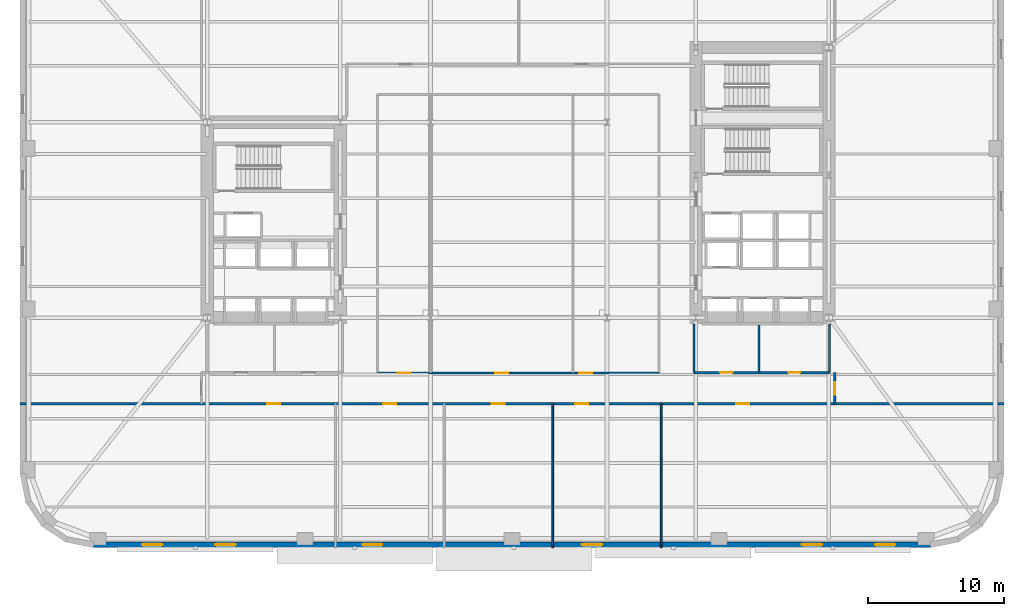
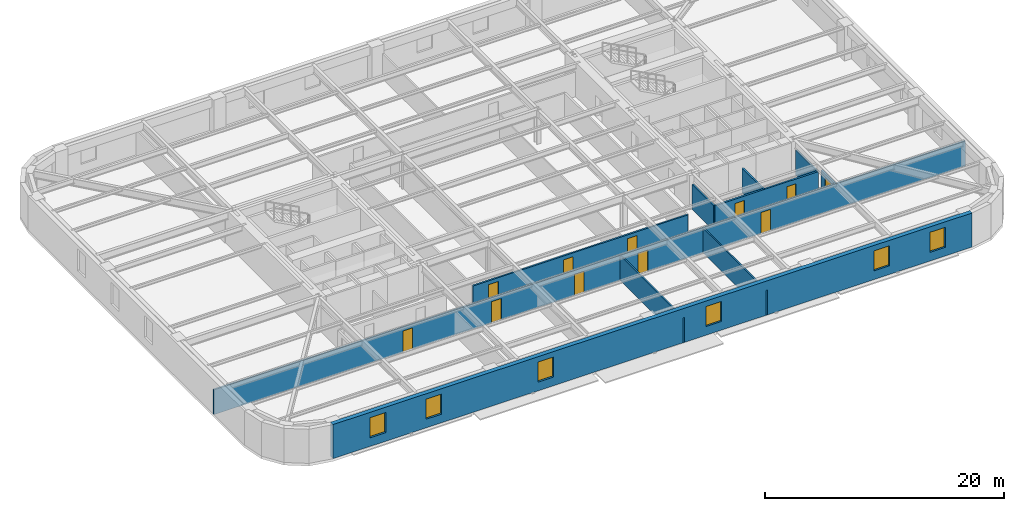
# One storey, part 5 of 14: 11 doors, 10 walls, 6 windows, 17 openings.
"""IFC4 building model written with IfcOpenShell, lengths in metres."""

from ifc_helpers import new_model, si_unit, direction, frame, frame_2d, origin, place, context, subcontext, project, spatial, rectangle, extrude, material, layer, layer_set, type_object, element, fill, save


model = new_model("IFC4")

# Units and contexts
model_context = context("Model", 3, precision=1e-05, world=origin(), true_north=direction((0.0, 1.0)))
body_context = subcontext(model_context, "Body", "Model", "MODEL_VIEW")
ifc_project = project(units=[si_unit("LENGTHUNIT", "METRE"), si_unit("AREAUNIT", "SQUARE_METRE"), si_unit("VOLUMEUNIT", "CUBIC_METRE"), si_unit("PLANEANGLEUNIT", "RADIAN"), si_unit("MASSUNIT", "GRAM", prefix="KILO")], contexts=[model_context])

# Site, building, storey
site_placement = place(None, origin())
site = spatial("IfcSite", under=ifc_project, at=site_placement, CompositionType="ELEMENT")
building_placement = place(site_placement, origin())
building = spatial("IfcBuilding", under=site, at=building_placement, Name="Kolvaren Arena Tower", CompositionType="ELEMENT")
storey_placement = place(building_placement, frame((0.0, 0.0, 57.0)))
storey = spatial("IfcBuildingStorey", under=building, at=storey_placement, Name="L11", CompositionType="ELEMENT", Elevation=57.0)

# Wall, openings, doors
ifc_material_1 = material(Name="Gypsum board acoustic assembly", Category="gypsum")
ifc_layer_1 = layer(ifc_material_1, 0.159912109375)
ifc_layer_set_1 = layer_set([ifc_layer_1], Name="Gypsum board acoustic assembly")
wall_type_1 = type_object("IfcWallType", Name="CORR-160", PredefinedType="PARTITIONING", material=ifc_layer_set_1)
wall_1_placement = place(storey_placement, frame((0.75, 13.10009765625, 0.0), z_axis=(0.0, 0.0, 1.0), x_axis=(1.0, 0.0, 0.0)))
wall_1 = element("IfcWall", 1, at=wall_1_placement, inside=storey, type_object=wall_type_1, Name="Interior Partition Wall (L11)", PredefinedType="PARTITIONING", context=body_context, shape_type="SweptSolid", body=[
    extrude(rectangle(XDim=72.5, YDim=0.159912109375, at=frame_2d((36.25, 0.0))), origin(), (0.0, 0.0, 1.0), 2.5400390625),
])
opening_1_placement = place(wall_1_placement, frame((18.22509765625, 0.0, 0.0)))
opening_1 = element("IfcOpeningElement", 2, at=opening_1_placement, cuts=wall_1, Name="Opening D05", PredefinedType="OPENING", context=body_context, shape_type="SweptSolid", body=[
    extrude(rectangle(XDim=0.949951171875, YDim=2.14990234375, at=frame_2d((0.47509765625, 1.074951171875))), frame((0.0, 0.08984375, 0.0), z_axis=(0.0, -1.0, 0.0), x_axis=(1.0, 0.0, 0.0)), (0.0, 0.0, 1.0), 0.179931640625),
])
opening_2_placement = place(wall_1_placement, frame((26.77490234375, 0.0, 0.0)))
opening_2 = element("IfcOpeningElement", 3, at=opening_2_placement, cuts=wall_1, Name="Opening D05", PredefinedType="OPENING", context=body_context, shape_type="SweptSolid", body=[
    extrude(rectangle(XDim=0.949951171875, YDim=2.14990234375, at=frame_2d((0.47509765625, 1.074951171875))), frame((0.0, 0.08984375, 0.0), z_axis=(0.0, -1.0, 0.0), x_axis=(1.0, 0.0, 0.0)), (0.0, 0.0, 1.0), 0.179931640625),
])
opening_3_placement = place(wall_1_placement, frame((34.77490234375, 0.0, 0.0)))
opening_3 = element("IfcOpeningElement", 4, at=opening_3_placement, cuts=wall_1, Name="Opening D05", PredefinedType="OPENING", context=body_context, shape_type="SweptSolid", body=[
    extrude(rectangle(XDim=0.949951171875, YDim=2.14990234375, at=frame_2d((0.47509765625, 1.074951171875))), frame((0.0, 0.08984375, 0.0), z_axis=(0.0, -1.0, 0.0), x_axis=(1.0, 0.0, 0.0)), (0.0, 0.0, 1.0), 0.179931640625),
])
opening_4_placement = place(wall_1_placement, frame((40.925048828125, 0.0, 0.0)))
opening_4 = element("IfcOpeningElement", 5, at=opening_4_placement, cuts=wall_1, Name="Opening D05", PredefinedType="OPENING", context=body_context, shape_type="SweptSolid", body=[
    extrude(rectangle(XDim=0.949951171875, YDim=2.14990234375, at=frame_2d((0.47509765625, 1.074951171875))), frame((0.0, 0.08984375, 0.0), z_axis=(0.0, -1.0, 0.0), x_axis=(1.0, 0.0, 0.0)), (0.0, 0.0, 1.0), 0.179931640625),
])
opening_5_placement = place(wall_1_placement, frame((52.77490234375, 0.0, 0.0)))
opening_5 = element("IfcOpeningElement", 6, at=opening_5_placement, cuts=wall_1, Name="Opening D05", PredefinedType="OPENING", context=body_context, shape_type="SweptSolid", body=[
    extrude(rectangle(XDim=0.949951171875, YDim=2.14990234375, at=frame_2d((0.47509765625, 1.074951171875))), frame((0.0, 0.08984375, 0.0), z_axis=(0.0, -1.0, 0.0), x_axis=(1.0, 0.0, 0.0)), (0.0, 0.0, 1.0), 0.179931640625),
])
ifc_material_2 = material(Name="Solid-core oak acoustic office door", Category="wood")
door_type_1 = type_object("IfcDoorType", Name="DOOR-OF-095", OperationType="NOTDEFINED", PredefinedType="DOOR", material=ifc_material_2)
door_1_placement = place(opening_1_placement, origin())
door_1 = element("IfcDoor", 7, at=door_1_placement, inside=storey, type_object=door_type_1, Name="Technical Engineering Office Door (L11)", OperationType="SINGLE_SWING_LEFT", OverallHeight=2.14990234375, OverallWidth=0.949951171875, PredefinedType="DOOR", context=body_context, shape_type="SweptSolid", body=[
    extrude(rectangle(XDim=0.949951171875, YDim=2.14990234375, at=frame_2d((0.47509765625, 1.074951171875))), frame((0.0, 0.02490234375, 0.0), z_axis=(0.0, -1.0, 0.0), x_axis=(1.0, 0.0, 0.0)), (0.0, 0.0, 1.0), 0.050048828125),
])
fill(opening_1, door_1)
door_2_placement = place(opening_2_placement, origin())
door_2 = element("IfcDoor", 8, at=door_2_placement, inside=storey, type_object=door_type_1, Name="Training Seminar Room Door (L11)", OperationType="SINGLE_SWING_RIGHT", OverallHeight=2.14990234375, OverallWidth=0.949951171875, PredefinedType="DOOR", context=body_context, shape_type="SweptSolid", body=[
    extrude(rectangle(XDim=0.949951171875, YDim=2.14990234375, at=frame_2d((0.47509765625, 1.074951171875))), frame((0.0, 0.02490234375, 0.0), z_axis=(0.0, -1.0, 0.0), x_axis=(1.0, 0.0, 0.0)), (0.0, 0.0, 1.0), 0.050048828125),
])
fill(opening_2, door_2)
door_3_placement = place(opening_3_placement, origin())
door_3 = element("IfcDoor", 9, at=door_3_placement, inside=storey, type_object=door_type_1, Name="Open Plan Office Door (L11)", OperationType="SINGLE_SWING_LEFT", OverallHeight=2.14990234375, OverallWidth=0.949951171875, PredefinedType="DOOR", context=body_context, shape_type="SweptSolid", body=[
    extrude(rectangle(XDim=0.949951171875, YDim=2.14990234375, at=frame_2d((0.47509765625, 1.074951171875))), frame((0.0, 0.02490234375, 0.0), z_axis=(0.0, -1.0, 0.0), x_axis=(1.0, 0.0, 0.0)), (0.0, 0.0, 1.0), 0.050048828125),
])
fill(opening_3, door_3)
door_4_placement = place(opening_4_placement, origin())
door_4 = element("IfcDoor", 10, at=door_4_placement, inside=storey, type_object=door_type_1, Name="Boardroom Door (L11)", OperationType="SINGLE_SWING_RIGHT", OverallHeight=2.14990234375, OverallWidth=0.949951171875, PredefinedType="DOOR", context=body_context, shape_type="SweptSolid", body=[
    extrude(rectangle(XDim=0.949951171875, YDim=2.14990234375, at=frame_2d((0.47509765625, 1.074951171875))), frame((0.0, 0.02490234375, 0.0), z_axis=(0.0, -1.0, 0.0), x_axis=(1.0, 0.0, 0.0)), (0.0, 0.0, 1.0), 0.050048828125),
])
fill(opening_4, door_4)
door_5_placement = place(opening_5_placement, origin())
door_5 = element("IfcDoor", 11, at=door_5_placement, inside=storey, type_object=door_type_1, Name="Breakout Pantry and Kitchen Door (L11)", OperationType="SINGLE_SWING_LEFT", OverallHeight=2.14990234375, OverallWidth=0.949951171875, PredefinedType="DOOR", context=body_context, shape_type="SweptSolid", body=[
    extrude(rectangle(XDim=0.949951171875, YDim=2.14990234375, at=frame_2d((0.47509765625, 1.074951171875))), frame((0.0, 0.02490234375, 0.0), z_axis=(0.0, -1.0, 0.0), x_axis=(1.0, 0.0, 0.0)), (0.0, 0.0, 1.0), 0.050048828125),
])
fill(opening_5, door_5)

wall_2_placement = place(storey_placement, frame((27.080078125, 15.3798828125, 0.0), z_axis=(0.0, 0.0, 1.0), x_axis=(1.0, 0.0, 0.0)))
wall_2 = element("IfcWall", 12, at=wall_2_placement, inside=storey, type_object=wall_type_1, Name="Interior Partition Wall (L11)", PredefinedType="PARTITIONING", context=body_context, shape_type="SweptSolid", body=[
    extrude(rectangle(XDim=20.739990234375, YDim=0.159912109375, at=frame_2d((10.3701171875, 0.0))), origin(), (0.0, 0.0, 1.0), 2.5400390625),
])
opening_6_placement = place(wall_2_placement, frame((1.4951171875, 0.0, 0.0)))
opening_6 = element("IfcOpeningElement", 13, at=opening_6_placement, cuts=wall_2, Name="Opening D05", PredefinedType="OPENING", context=body_context, shape_type="SweptSolid", body=[
    extrude(rectangle(XDim=0.949951171875, YDim=2.14990234375, at=frame_2d((0.47509765625, 1.074951171875))), frame((0.0, 0.08984375, 0.0), z_axis=(0.0, -1.0, 0.0), x_axis=(1.0, 0.0, 0.0)), (0.0, 0.0, 1.0), 0.179931640625),
])
opening_7_placement = place(wall_2_placement, frame((8.695068359375, 0.0, 0.0)))
opening_7 = element("IfcOpeningElement", 14, at=opening_7_placement, cuts=wall_2, Name="Opening D05", PredefinedType="OPENING", context=body_context, shape_type="SweptSolid", body=[
    extrude(rectangle(XDim=0.949951171875, YDim=2.14990234375, at=frame_2d((0.47509765625, 1.074951171875))), frame((0.0, 0.08984375, 0.0), z_axis=(0.0, -1.0, 0.0), x_axis=(1.0, 0.0, 0.0)), (0.0, 0.0, 1.0), 0.179931640625),
])
opening_8_placement = place(wall_2_placement, frame((14.8701171875, 0.0, 0.0)))
opening_8 = element("IfcOpeningElement", 15, at=opening_8_placement, cuts=wall_2, Name="Opening D05", PredefinedType="OPENING", context=body_context, shape_type="SweptSolid", body=[
    extrude(rectangle(XDim=0.949951171875, YDim=2.14990234375, at=frame_2d((0.47509765625, 1.074951171875))), frame((0.0, 0.08984375, 0.0), z_axis=(0.0, -1.0, 0.0), x_axis=(1.0, 0.0, 0.0)), (0.0, 0.0, 1.0), 0.179931640625),
])
door_6_placement = place(opening_6_placement, origin())
door_6 = element("IfcDoor", 16, at=door_6_placement, inside=storey, type_object=door_type_1, Name="Training Seminar Room Door (L11)", OperationType="SINGLE_SWING_RIGHT", OverallHeight=2.14990234375, OverallWidth=0.949951171875, PredefinedType="DOOR", context=body_context, shape_type="SweptSolid", body=[
    extrude(rectangle(XDim=0.949951171875, YDim=2.14990234375, at=frame_2d((0.47509765625, 1.074951171875))), frame((0.0, 0.02490234375, 0.0), z_axis=(0.0, -1.0, 0.0), x_axis=(1.0, 0.0, 0.0)), (0.0, 0.0, 1.0), 0.050048828125),
])
fill(opening_6, door_6)
door_7_placement = place(opening_7_placement, origin())
door_7 = element("IfcDoor", 17, at=door_7_placement, inside=storey, type_object=door_type_1, Name="Open Plan Office Door (L11)", OperationType="SINGLE_SWING_LEFT", OverallHeight=2.14990234375, OverallWidth=0.949951171875, PredefinedType="DOOR", context=body_context, shape_type="SweptSolid", body=[
    extrude(rectangle(XDim=0.949951171875, YDim=2.14990234375, at=frame_2d((0.47509765625, 1.074951171875))), frame((0.0, 0.02490234375, 0.0), z_axis=(0.0, -1.0, 0.0), x_axis=(1.0, 0.0, 0.0)), (0.0, 0.0, 1.0), 0.050048828125),
])
fill(opening_7, door_7)
door_8_placement = place(opening_8_placement, origin())
door_8 = element("IfcDoor", 18, at=door_8_placement, inside=storey, type_object=door_type_1, Name="Corporate Project Office Door (L11)", OperationType="SINGLE_SWING_RIGHT", OverallHeight=2.14990234375, OverallWidth=0.949951171875, PredefinedType="DOOR", context=body_context, shape_type="SweptSolid", body=[
    extrude(rectangle(XDim=0.949951171875, YDim=2.14990234375, at=frame_2d((0.47509765625, 1.074951171875))), frame((0.0, 0.02490234375, 0.0), z_axis=(0.0, -1.0, 0.0), x_axis=(1.0, 0.0, 0.0)), (0.0, 0.0, 1.0), 0.050048828125),
])
fill(opening_8, door_8)

# Wall, opening, door
wall_3_placement = place(storey_placement, frame((60.780029296875, 13.10009765625, 0.0), z_axis=(0.0, 0.0, 1.0), x_axis=(0.0, 1.0, 0.0)))
wall_3 = element("IfcWall", 19, at=wall_3_placement, inside=storey, type_object=wall_type_1, Name="Interior Partition Wall (L11)", PredefinedType="PARTITIONING", context=body_context, shape_type="SweptSolid", body=[
    extrude(rectangle(XDim=2.2998046875, YDim=0.159912109375, at=frame_2d((1.14990234375, 0.0))), origin(), (0.0, 0.0, 1.0), 2.5400390625),
])
opening_9_placement = place(wall_3_placement, frame((0.64990234375, 0.0, 0.0)))
opening_9 = element("IfcOpeningElement", 20, at=opening_9_placement, cuts=wall_3, Name="Opening D05", PredefinedType="OPENING", context=body_context, shape_type="SweptSolid", body=[
    extrude(rectangle(XDim=0.949951171875, YDim=2.14990234375, at=frame_2d((0.47509765625, 1.074951171875))), frame((0.0, 0.08984375, 0.0), z_axis=(0.0, -1.0, 0.0), x_axis=(1.0, 0.0, 0.0)), (0.0, 0.0, 1.0), 0.179931640625),
])
door_9_placement = place(opening_9_placement, origin())
door_9 = element("IfcDoor", 21, at=door_9_placement, inside=storey, type_object=door_type_1, Name="East Wing Studio Door (L11)", OperationType="SINGLE_SWING_RIGHT", OverallHeight=2.14990234375, OverallWidth=0.949951171875, PredefinedType="DOOR", context=body_context, shape_type="SweptSolid", body=[
    extrude(rectangle(XDim=0.949951171875, YDim=2.14990234375, at=frame_2d((0.47509765625, 1.074951171875))), frame((0.0, 0.02490234375, 0.0), z_axis=(0.0, -1.0, 0.0), x_axis=(1.0, 0.0, 0.0)), (0.0, 0.0, 1.0), 0.050048828125),
])
fill(opening_9, door_9)

# Wall, openings, windows
ifc_material_3 = material(Name="Precast concrete C50/60", Category="concrete")
ifc_layer_2 = layer(ifc_material_3, 0.419921875)
ifc_layer_set_2 = layer_set([ifc_layer_2], Name="Precast concrete C50/60")
wall_type_2 = type_object("IfcWallType", Name="EXT-PIER1", PredefinedType="SOLIDWALL", material=ifc_layer_set_2)
wall_4_placement = place(storey_placement, frame((67.85009765625, 2.7099609375, 0.0), z_axis=(0.0, 0.0, 1.0), x_axis=(-1.0, 0.0, 0.0)))
wall_4 = element("IfcWall", 22, at=wall_4_placement, inside=storey, type_object=wall_type_2, Name="Exterior Precast Masonry-Frame Wall (L11)", PredefinedType="SOLIDWALL", context=body_context, shape_type="SweptSolid", body=[
    extrude(rectangle(XDim=61.7001953125, YDim=0.419921875, at=frame_2d((30.85009765625, 0.0))), origin(), (0.0, 0.0, 1.0), 3.47998046875),
])
opening_10_placement = place(wall_4_placement, frame((2.60009765625, 0.0, 0.8798828125)))
opening_10 = element("IfcOpeningElement", 23, at=opening_10_placement, cuts=wall_4, Name="Opening W03", PredefinedType="OPENING", context=body_context, shape_type="SweptSolid", body=[
    extrude(rectangle(XDim=1.5, YDim=2.050048828125, at=frame_2d((0.75, 1.02490234375))), frame((0.0, 0.219970703125, 0.0), z_axis=(0.0, -1.0, 0.0), x_axis=(1.0, 0.0, 0.0)), (0.0, 0.0, 1.0), 0.43994140625),
])
opening_11_placement = place(wall_4_placement, frame((8.0, 0.0, 0.8798828125)))
opening_11 = element("IfcOpeningElement", 24, at=opening_11_placement, cuts=wall_4, Name="Opening W03", PredefinedType="OPENING", context=body_context, shape_type="SweptSolid", body=[
    extrude(rectangle(XDim=1.5, YDim=2.050048828125, at=frame_2d((0.75, 1.02490234375))), frame((0.0, 0.219970703125, 0.0), z_axis=(0.0, -1.0, 0.0), x_axis=(1.0, 0.0, 0.0)), (0.0, 0.0, 1.0), 0.43994140625),
])
opening_12_placement = place(wall_4_placement, frame((24.199951171875, 0.0, 0.8798828125)))
opening_12 = element("IfcOpeningElement", 25, at=opening_12_placement, cuts=wall_4, Name="Opening W03", PredefinedType="OPENING", context=body_context, shape_type="SweptSolid", body=[
    extrude(rectangle(XDim=1.5, YDim=2.050048828125, at=frame_2d((0.75, 1.02490234375))), frame((0.0, 0.219970703125, 0.0), z_axis=(0.0, -1.0, 0.0), x_axis=(1.0, 0.0, 0.0)), (0.0, 0.0, 1.0), 0.43994140625),
])
opening_13_placement = place(wall_4_placement, frame((40.39990234375, 0.0, 0.8798828125)))
opening_13 = element("IfcOpeningElement", 26, at=opening_13_placement, cuts=wall_4, Name="Opening W03", PredefinedType="OPENING", context=body_context, shape_type="SweptSolid", body=[
    extrude(rectangle(XDim=1.5, YDim=2.050048828125, at=frame_2d((0.75, 1.02490234375))), frame((0.0, 0.219970703125, 0.0), z_axis=(0.0, -1.0, 0.0), x_axis=(1.0, 0.0, 0.0)), (0.0, 0.0, 1.0), 0.43994140625),
])
opening_14_placement = place(wall_4_placement, frame((51.199951171875, 0.0, 0.8798828125)))
opening_14 = element("IfcOpeningElement", 27, at=opening_14_placement, cuts=wall_4, Name="Opening W03", PredefinedType="OPENING", context=body_context, shape_type="SweptSolid", body=[
    extrude(rectangle(XDim=1.5, YDim=2.050048828125, at=frame_2d((0.75, 1.02490234375))), frame((0.0, 0.219970703125, 0.0), z_axis=(0.0, -1.0, 0.0), x_axis=(1.0, 0.0, 0.0)), (0.0, 0.0, 1.0), 0.43994140625),
])
opening_15_placement = place(wall_4_placement, frame((56.60009765625, 0.0, 0.8798828125)))
opening_15 = element("IfcOpeningElement", 28, at=opening_15_placement, cuts=wall_4, Name="Opening W03", PredefinedType="OPENING", context=body_context, shape_type="SweptSolid", body=[
    extrude(rectangle(XDim=1.5, YDim=2.050048828125, at=frame_2d((0.75, 1.02490234375))), frame((0.0, 0.219970703125, 0.0), z_axis=(0.0, -1.0, 0.0), x_axis=(1.0, 0.0, 0.0)), (0.0, 0.0, 1.0), 0.43994140625),
])
ifc_material_4 = material(Name="Triple-glazed low-E aluminium window", Category="aluminium")
window_type = type_object("IfcWindowType", Name="WIN-OFF-C", PartitioningType="SINGLE_PANEL", PredefinedType="WINDOW", material=ifc_material_4)
window_1_placement = place(opening_10_placement, origin())
window_1 = element("IfcWindow", 29, at=window_1_placement, inside=storey, type_object=window_type, Name="Punched Precast-Pier Window (L11)", OverallHeight=2.050048828125, OverallWidth=1.5, PartitioningType="SINGLE_PANEL", PredefinedType="WINDOW", context=body_context, shape_type="SweptSolid", body=[
    extrude(rectangle(XDim=1.5, YDim=2.050048828125, at=frame_2d((0.75, 1.02490234375))), frame((0.0, 0.030029296875, 0.0), z_axis=(0.0, -1.0, 0.0), x_axis=(1.0, 0.0, 0.0)), (0.0, 0.0, 1.0), 0.06005859375),
])
fill(opening_10, window_1)
window_2_placement = place(opening_11_placement, origin())
window_2 = element("IfcWindow", 30, at=window_2_placement, inside=storey, type_object=window_type, Name="Punched Precast-Pier Window (L11)", OverallHeight=2.050048828125, OverallWidth=1.5, PartitioningType="SINGLE_PANEL", PredefinedType="WINDOW", context=body_context, shape_type="SweptSolid", body=[
    extrude(rectangle(XDim=1.5, YDim=2.050048828125, at=frame_2d((0.75, 1.02490234375))), frame((0.0, 0.030029296875, 0.0), z_axis=(0.0, -1.0, 0.0), x_axis=(1.0, 0.0, 0.0)), (0.0, 0.0, 1.0), 0.06005859375),
])
fill(opening_11, window_2)
window_3_placement = place(opening_12_placement, origin())
window_3 = element("IfcWindow", 31, at=window_3_placement, inside=storey, type_object=window_type, Name="Punched Precast-Pier Window (L11)", OverallHeight=2.050048828125, OverallWidth=1.5, PartitioningType="SINGLE_PANEL", PredefinedType="WINDOW", context=body_context, shape_type="SweptSolid", body=[
    extrude(rectangle(XDim=1.5, YDim=2.050048828125, at=frame_2d((0.75, 1.02490234375))), frame((0.0, 0.030029296875, 0.0), z_axis=(0.0, -1.0, 0.0), x_axis=(1.0, 0.0, 0.0)), (0.0, 0.0, 1.0), 0.06005859375),
])
fill(opening_12, window_3)
window_4_placement = place(opening_13_placement, origin())
window_4 = element("IfcWindow", 32, at=window_4_placement, inside=storey, type_object=window_type, Name="Punched Precast-Pier Window (L11)", OverallHeight=2.050048828125, OverallWidth=1.5, PartitioningType="SINGLE_PANEL", PredefinedType="WINDOW", context=body_context, shape_type="SweptSolid", body=[
    extrude(rectangle(XDim=1.5, YDim=2.050048828125, at=frame_2d((0.75, 1.02490234375))), frame((0.0, 0.030029296875, 0.0), z_axis=(0.0, -1.0, 0.0), x_axis=(1.0, 0.0, 0.0)), (0.0, 0.0, 1.0), 0.06005859375),
])
fill(opening_13, window_4)
window_5_placement = place(opening_14_placement, origin())
window_5 = element("IfcWindow", 33, at=window_5_placement, inside=storey, type_object=window_type, Name="Punched Precast-Pier Window (L11)", OverallHeight=2.050048828125, OverallWidth=1.5, PartitioningType="SINGLE_PANEL", PredefinedType="WINDOW", context=body_context, shape_type="SweptSolid", body=[
    extrude(rectangle(XDim=1.5, YDim=2.050048828125, at=frame_2d((0.75, 1.02490234375))), frame((0.0, 0.030029296875, 0.0), z_axis=(0.0, -1.0, 0.0), x_axis=(1.0, 0.0, 0.0)), (0.0, 0.0, 1.0), 0.06005859375),
])
fill(opening_14, window_5)
window_6_placement = place(opening_15_placement, origin())
window_6 = element("IfcWindow", 34, at=window_6_placement, inside=storey, type_object=window_type, Name="Punched Precast-Pier Window (L11)", OverallHeight=2.050048828125, OverallWidth=1.5, PartitioningType="SINGLE_PANEL", PredefinedType="WINDOW", context=body_context, shape_type="SweptSolid", body=[
    extrude(rectangle(XDim=1.5, YDim=2.050048828125, at=frame_2d((0.75, 1.02490234375))), frame((0.0, 0.030029296875, 0.0), z_axis=(0.0, -1.0, 0.0), x_axis=(1.0, 0.0, 0.0)), (0.0, 0.0, 1.0), 0.06005859375),
])
fill(opening_15, window_6)

# Walls
ifc_material_5 = material(Name="Gypsum board partition assembly", Category="gypsum")
ifc_layer_3 = layer(ifc_material_5, 0.135009765625)
ifc_layer_set_3 = layer_set([ifc_layer_3], Name="Gypsum board partition assembly")
wall_type_3 = type_object("IfcWallType", Name="PART-135", PredefinedType="PARTITIONING", material=ifc_layer_set_3)
for number, where, z_axis, x_axis, name in (
    (35, (40.0, 2.5, 0.0), (0.0, 0.0, 1.0), (0.0, 1.0, 0.0), "Interior Partition Wall (L11)"),
    (36, (48.0, 2.5, 0.0), (0.0, 0.0, 1.0), (0.0, 1.0, 0.0), "Interior Partition Wall (L11)"),
):
    element("IfcWall", number, at=place(storey_placement, frame(where, z_axis=z_axis, x_axis=x_axis)), inside=storey, type_object=wall_type_3, Name=name, PredefinedType="PARTITIONING", context=body_context, shape_type="SweptSolid", body=[
        extrude(rectangle(XDim=10.60009765625, YDim=0.135009765625, at=frame_2d((5.300048828125, 0.0))), origin(), (0.0, 0.0, 1.0), 2.5400390625),
    ])

# Wall, openings, doors
ifc_material_6 = material(Name="Concrete 45 MPa", Category="concrete")
ifc_layer_4 = layer(ifc_material_6, 0.25)
ifc_layer_set_4 = layer_set([ifc_layer_4], Name="Concrete 45 MPa")
wall_type_4 = type_object("IfcWallType", Name="SHAFT-250", PredefinedType="SOLIDWALL", material=ifc_layer_set_4)
wall_5_placement = place(storey_placement, frame((50.39990234375, 15.39990234375, 0.0), z_axis=(0.0, 0.0, 1.0), x_axis=(1.0, 0.0, 0.0)))
wall_5 = element("IfcWall", 37, at=wall_5_placement, inside=storey, type_object=wall_type_4, Name="Interior Partition Wall (L11)", PredefinedType="SOLIDWALL", context=body_context, shape_type="SweptSolid", body=[
    extrude(rectangle(XDim=10.0, YDim=0.179931640625, at=frame_2d((5.0, 0.0))), origin(), (0.0, 0.0, 1.0), 2.5400390625),
])
opening_16_placement = place(wall_5_placement, frame((1.93994140625, 0.0, 0.0)))
opening_16 = element("IfcOpeningElement", 38, at=opening_16_placement, cuts=wall_5, Name="Opening D07", PredefinedType="OPENING", context=body_context, shape_type="SweptSolid", body=[
    extrude(rectangle(XDim=0.919921875, YDim=2.10009765625, at=frame_2d((0.4599609375, 1.050048828125))), frame((0.0, 0.099853515625, 0.0), z_axis=(0.0, -1.0, 0.0), x_axis=(1.0, 0.0, 0.0)), (0.0, 0.0, 1.0), 0.199951171875),
])
opening_17_placement = place(wall_5_placement, frame((6.969970703125, 0.0, 0.0)))
opening_17 = element("IfcOpeningElement", 39, at=opening_17_placement, cuts=wall_5, Name="Opening D09", PredefinedType="OPENING", context=body_context, shape_type="SweptSolid", body=[
    extrude(rectangle(XDim=0.860107421875, YDim=2.050048828125, at=frame_2d((0.43017578125, 1.02490234375))), frame((0.0, 0.099853515625, 0.0), z_axis=(0.0, -1.0, 0.0), x_axis=(1.0, 0.0, 0.0)), (0.0, 0.0, 1.0), 0.199951171875),
])
ifc_material_7 = material(Name="Fire-rated steel riser access door", Category="steel")
door_type_2 = type_object("IfcDoorType", Name="DOOR-RS-086", OperationType="NOTDEFINED", PredefinedType="DOOR", material=ifc_material_7)
door_10_placement = place(opening_17_placement, origin())
door_10 = element("IfcDoor", 40, at=door_10_placement, inside=storey, type_object=door_type_2, Name="Electrical Riser Closet Door (L11)", OperationType="SINGLE_SWING_RIGHT", OverallHeight=2.050048828125, OverallWidth=0.860107421875, PredefinedType="DOOR", context=body_context, shape_type="SweptSolid", body=[
    extrude(rectangle(XDim=0.860107421875, YDim=2.050048828125, at=frame_2d((0.43017578125, 1.02490234375))), frame((0.0, 0.02490234375, 0.0), z_axis=(0.0, -1.0, 0.0), x_axis=(1.0, 0.0, 0.0)), (0.0, 0.0, 1.0), 0.050048828125),
])
fill(opening_17, door_10)
ifc_material_8 = material(Name="Laminate universal washroom door", Category="wood")
door_type_3 = type_object("IfcDoorType", Name="DOOR-WC-092", OperationType="NOTDEFINED", PredefinedType="DOOR", material=ifc_material_8)
door_11_placement = place(opening_16_placement, origin())
door_11 = element("IfcDoor", 41, at=door_11_placement, inside=storey, type_object=door_type_3, Name="Cleaner and Janitor Store Door (L11)", OperationType="SINGLE_SWING_LEFT", OverallHeight=2.10009765625, OverallWidth=0.919921875, PredefinedType="DOOR", context=body_context, shape_type="SweptSolid", body=[
    extrude(rectangle(XDim=0.919921875, YDim=2.10009765625, at=frame_2d((0.4599609375, 1.050048828125))), frame((0.0, 0.02490234375, 0.0), z_axis=(0.0, -1.0, 0.0), x_axis=(1.0, 0.0, 0.0)), (0.0, 0.0, 1.0), 0.050048828125),
])
fill(opening_16, door_11)

# Walls
ifc_material_9 = material(Name="Moisture-resistant gypsum assembly", Category="gypsum")
ifc_layer_5 = layer(ifc_material_9, 0.14990234375)
ifc_layer_set_5 = layer_set([ifc_layer_5], Name="Moisture-resistant gypsum assembly")
wall_type_5 = type_object("IfcWallType", Name="WETW-150", PredefinedType="PARTITIONING", material=ifc_layer_set_5)
for number, where, z_axis, x_axis, name in (
    (42, (55.199951171875, 15.39990234375, 0.0), (0.0, 0.0, 1.0), (0.0, 1.0, 0.0), "Interior Partition Wall (L11)"),
    (43, (50.39990234375, 15.39990234375, 0.0), (0.0, 0.0, 1.0), (0.0, 1.0, 0.0), "Interior Partition Wall (L11)"),
    (44, (60.39990234375, 15.39990234375, 0.0), (0.0, 0.0, 1.0), (0.0, 1.0, 0.0), "Interior Partition Wall (L11)"),
):
    element("IfcWall", number, at=place(storey_placement, frame(where, z_axis=z_axis, x_axis=x_axis)), inside=storey, type_object=wall_type_5, Name=name, PredefinedType="PARTITIONING", context=body_context, shape_type="SweptSolid", body=[
        extrude(rectangle(XDim=3.580078125, YDim=0.14990234375, at=frame_2d((1.7900390625, 0.0))), origin(), (0.0, 0.0, 1.0), 2.5400390625),
    ])

save(model, "model.ifc")
